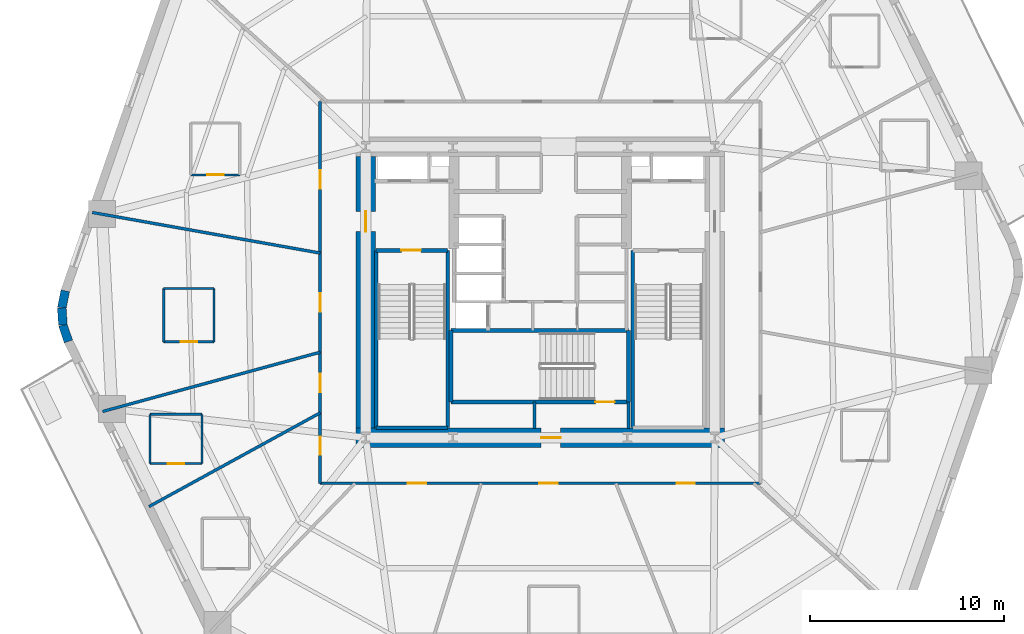
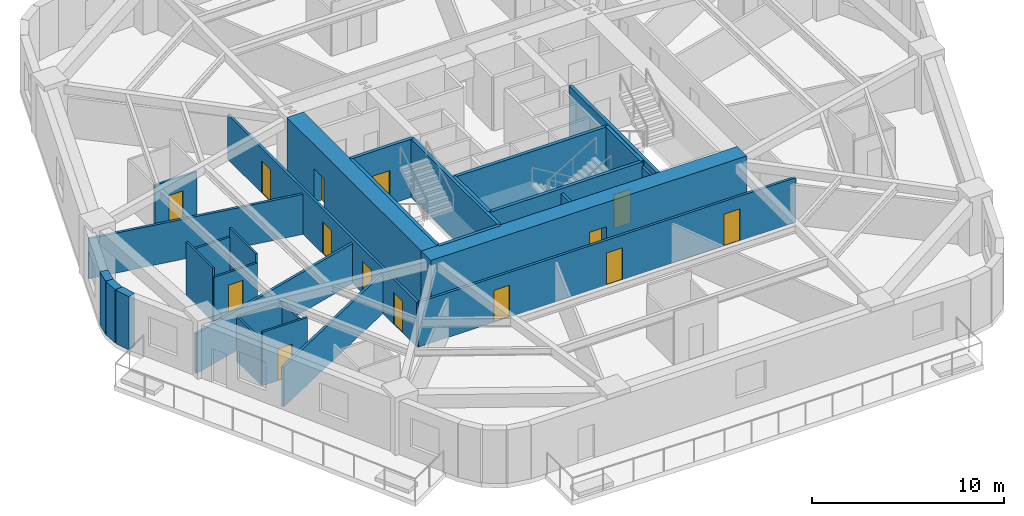
# One storey, part 3 of 9: 30 walls, 14 doors, 14 openings.
"""IFC4 building model written with IfcOpenShell, lengths in metres."""

from ifc_helpers import new_model, si_unit, direction, frame, frame_2d, origin, place, context, subcontext, project, spatial, rectangle, extrude, material, layer, layer_set, type_object, element, fill, save


model = new_model("IFC4")

# Units and contexts
model_context = context("Model", 3, precision=1e-05, world=origin(), true_north=direction((0.0, 1.0)))
body_context = subcontext(model_context, "Body", "Model", "MODEL_VIEW")
ifc_project = project(units=[si_unit("LENGTHUNIT", "METRE"), si_unit("AREAUNIT", "SQUARE_METRE"), si_unit("VOLUMEUNIT", "CUBIC_METRE"), si_unit("PLANEANGLEUNIT", "RADIAN"), si_unit("MASSUNIT", "GRAM", prefix="KILO")], contexts=[model_context])

# Site, building, storey
site_placement = place(None, origin())
site = spatial("IfcSite", under=ifc_project, at=site_placement, CompositionType="ELEMENT")
building_placement = place(site_placement, origin())
building = spatial("IfcBuilding", under=site, at=building_placement, Name="Kilnhurst Terrace Hotel", CompositionType="ELEMENT")
storey_placement = place(building_placement, frame((0.0, 0.0, 60.10009765625)))
storey = spatial("IfcBuildingStorey", under=building, at=storey_placement, Name="L13", CompositionType="ELEMENT", Elevation=60.10009765625)

# Walls
ifc_material_1 = material(Name="Precast concrete C40/50", Category="concrete")
ifc_layer_1 = layer(ifc_material_1, 0.449951171875, Name="Precast concrete C40/50")
ifc_layer_set_1 = layer_set([ifc_layer_1], Name="Precast concrete C40/50")
wall_type_1 = type_object("IfcWallType", Name="WL-BRK-450", PredefinedType="SOLIDWALL", material=ifc_layer_set_1)
wall_1_placement = place(storey_placement, frame((-24.49560546875, 0.07666015625, 0.0), z_axis=(0.0, 0.0, 1.0), x_axis=(-0.199570594521, -0.979883451132, 0.0)))
element("IfcWall", 1, at=wall_1_placement, inside=storey, type_object=wall_type_1, Name="L13 Rounded Corner Brick Wall C6.1", PredefinedType="SOLIDWALL", context=body_context, shape_type="SweptSolid", body=[
    extrude(rectangle(XDim=0.896728515625, YDim=0.449951171875, at=frame_2d((0.4482421875, 0.0))), origin(), (0.0, 0.0, 1.0), 3.39990234375),
])
wall_2_placement = place(storey_placement, frame((-24.674560546875, -0.802001953125, 0.0), z_axis=(0.0, 0.0, 1.0), x_axis=(0.061188874166, -0.998126205286, 0.0)))
element("IfcWall", 2, at=wall_2_placement, inside=storey, type_object=wall_type_1, Name="L13 Rounded Corner Brick Wall C6.2", PredefinedType="SOLIDWALL", context=body_context, shape_type="SweptSolid", body=[
    extrude(rectangle(XDim=0.8818359375, YDim=0.449951171875, at=frame_2d((0.44091796875, 0.0))), origin(), (0.0, 0.0, 1.0), 3.39990234375),
])
wall_3_placement = place(storey_placement, frame((-24.62060546875, -1.68212890625, 0.0), z_axis=(0.0, 0.0, 1.0), x_axis=(0.317697451681, -0.948192137278, 0.0)))
element("IfcWall", 3, at=wall_3_placement, inside=storey, type_object=wall_type_1, Name="L13 Rounded Corner Brick Wall C6.3", PredefinedType="SOLIDWALL", context=body_context, shape_type="SweptSolid", body=[
    extrude(rectangle(XDim=0.896728515625, YDim=0.449951171875, at=frame_2d((0.4482421875, 0.0))), origin(), (0.0, 0.0, 1.0), 3.39990234375),
])

# Wall, openings, doors
ifc_material_2 = material(Name="Acoustic Double-Gypsum Corridor Partition Assembly")
ifc_layer_2 = layer(ifc_material_2, 0.14990234375, Name="Acoustic Double-Gypsum Corridor Partition Assembly")
ifc_layer_set_2 = layer_set([ifc_layer_2], Name="Acoustic Double-Gypsum Corridor Partition Assembly")
wall_type_2 = type_object("IfcWallType", Name="WL-COR-150", PredefinedType="PARTITIONING", material=ifc_layer_set_2)
wall_4_placement = place(storey_placement, frame((-11.35009765625, -9.85009765625, 0.0), z_axis=(0.0, 0.0, 1.0), x_axis=(0.0, 1.0, 0.0)))
wall_4 = element("IfcWall", 4, at=wall_4_placement, inside=storey, type_object=wall_type_2, Name="L13 Interior Wall WL-L13-COR-01", PredefinedType="PARTITIONING", context=body_context, shape_type="SweptSolid", body=[
    extrude(rectangle(XDim=19.7001953125, YDim=0.14990234375, at=frame_2d((9.85009765625, 0.0))), origin(), (0.0, 0.0, 1.0), 2.83984375),
])
opening_1_placement = place(wall_4_placement, frame((15.19091796875, 0.0, 0.0)))
opening_1 = element("IfcOpeningElement", 5, at=opening_1_placement, cuts=wall_4, Name="Opening D-60B", PredefinedType="OPENING", context=body_context, shape_type="SweptSolid", body=[
    extrude(rectangle(XDim=0.949951171875, YDim=2.030029296875, at=frame_2d((0.47509765625, 1.01513671875))), frame((0.0, 0.0849609375, 0.0), z_axis=(0.0, -1.0, 0.0), x_axis=(1.0, 0.0, 0.0)), (0.0, 0.0, 1.0), 0.169921875),
])
opening_2_placement = place(wall_4_placement, frame((8.837890625, 0.0, 0.0)))
opening_2 = element("IfcOpeningElement", 6, at=opening_2_placement, cuts=wall_4, Name="Opening D-60B", PredefinedType="OPENING", context=body_context, shape_type="SweptSolid", body=[
    extrude(rectangle(XDim=0.949951171875, YDim=2.030029296875, at=frame_2d((0.47509765625, 1.01513671875))), frame((0.0, 0.0849609375, 0.0), z_axis=(0.0, -1.0, 0.0), x_axis=(1.0, 0.0, 0.0)), (0.0, 0.0, 1.0), 0.169921875),
])
opening_3_placement = place(wall_4_placement, frame((4.7041015625, 0.0, 0.0)))
opening_3 = element("IfcOpeningElement", 7, at=opening_3_placement, cuts=wall_4, Name="Opening D-60B", PredefinedType="OPENING", context=body_context, shape_type="SweptSolid", body=[
    extrude(rectangle(XDim=0.949951171875, YDim=2.030029296875, at=frame_2d((0.47509765625, 1.01513671875))), frame((0.0, 0.0849609375, 0.0), z_axis=(0.0, -1.0, 0.0), x_axis=(1.0, 0.0, 0.0)), (0.0, 0.0, 1.0), 0.169921875),
])
opening_4_placement = place(wall_4_placement, frame((1.4619140625, 0.0, 0.0)))
opening_4 = element("IfcOpeningElement", 8, at=opening_4_placement, cuts=wall_4, Name="Opening D-60B", PredefinedType="OPENING", context=body_context, shape_type="SweptSolid", body=[
    extrude(rectangle(XDim=0.949951171875, YDim=2.030029296875, at=frame_2d((0.47509765625, 1.01513671875))), frame((0.0, 0.0849609375, 0.0), z_axis=(0.0, -1.0, 0.0), x_axis=(1.0, 0.0, 0.0)), (0.0, 0.0, 1.0), 0.169921875),
])
ifc_material_3 = material(Name="Acoustic Walnut Veneer Solid-Core Fire Door")
door_type_1 = type_object("IfcDoorType", Name="DR-FD60-950", OperationType="NOTDEFINED", PredefinedType="DOOR", material=ifc_material_3)
door_1_placement = place(opening_1_placement, origin())
door_1 = element("IfcDoor", 9, at=door_1_placement, inside=storey, type_object=door_type_1, Name="L13 Executive Suite Entry Door 6", OperationType="SINGLE_SWING_RIGHT", OverallHeight=2.030029296875, OverallWidth=0.949951171875, PredefinedType="DOOR", context=body_context, shape_type="SweptSolid", body=[
    extrude(rectangle(XDim=0.949951171875, YDim=2.030029296875, at=frame_2d((0.47509765625, 1.01513671875))), frame((0.0, 0.02490234375, 0.0), z_axis=(0.0, -1.0, 0.0), x_axis=(1.0, 0.0, 0.0)), (0.0, 0.0, 1.0), 0.050048828125),
])
fill(opening_1, door_1)
door_2_placement = place(opening_2_placement, origin())
door_2 = element("IfcDoor", 10, at=door_2_placement, inside=storey, type_object=door_type_1, Name="L13 Executive Suite Entry Door 7", OperationType="SINGLE_SWING_LEFT", OverallHeight=2.030029296875, OverallWidth=0.949951171875, PredefinedType="DOOR", context=body_context, shape_type="SweptSolid", body=[
    extrude(rectangle(XDim=0.949951171875, YDim=2.030029296875, at=frame_2d((0.47509765625, 1.01513671875))), frame((0.0, 0.02490234375, 0.0), z_axis=(0.0, -1.0, 0.0), x_axis=(1.0, 0.0, 0.0)), (0.0, 0.0, 1.0), 0.050048828125),
])
fill(opening_2, door_2)
door_3_placement = place(opening_3_placement, origin())
door_3 = element("IfcDoor", 11, at=door_3_placement, inside=storey, type_object=door_type_1, Name="L13 Guest Room Entry Door 8", OperationType="SINGLE_SWING_RIGHT", OverallHeight=2.030029296875, OverallWidth=0.949951171875, PredefinedType="DOOR", context=body_context, shape_type="SweptSolid", body=[
    extrude(rectangle(XDim=0.949951171875, YDim=2.030029296875, at=frame_2d((0.47509765625, 1.01513671875))), frame((0.0, 0.02490234375, 0.0), z_axis=(0.0, -1.0, 0.0), x_axis=(1.0, 0.0, 0.0)), (0.0, 0.0, 1.0), 0.050048828125),
])
fill(opening_3, door_3)
door_4_placement = place(opening_4_placement, origin())
door_4 = element("IfcDoor", 12, at=door_4_placement, inside=storey, type_object=door_type_1, Name="L13 Guest Room Entry Door 9", OperationType="SINGLE_SWING_LEFT", OverallHeight=2.030029296875, OverallWidth=0.949951171875, PredefinedType="DOOR", context=body_context, shape_type="SweptSolid", body=[
    extrude(rectangle(XDim=0.949951171875, YDim=2.030029296875, at=frame_2d((0.47509765625, 1.01513671875))), frame((0.0, 0.02490234375, 0.0), z_axis=(0.0, -1.0, 0.0), x_axis=(1.0, 0.0, 0.0)), (0.0, 0.0, 1.0), 0.050048828125),
])
fill(opening_4, door_4)

wall_5_placement = place(storey_placement, frame((11.35009765625, -9.85009765625, 0.0), z_axis=(0.0, 0.0, 1.0), x_axis=(-1.0, 0.0, 0.0)))
wall_5 = element("IfcWall", 13, at=wall_5_placement, inside=storey, type_object=wall_type_2, Name="L13 Interior Wall WL-L13-COR-04", PredefinedType="PARTITIONING", context=body_context, shape_type="SweptSolid", body=[
    extrude(rectangle(XDim=22.7001953125, YDim=0.14990234375, at=frame_2d((11.35009765625, 0.0))), origin(), (0.0, 0.0, 1.0), 2.83984375),
])
opening_5_placement = place(wall_5_placement, frame((17.22509765625, 0.0, 0.0)))
opening_5 = element("IfcOpeningElement", 14, at=opening_5_placement, cuts=wall_5, Name="Opening D-60B", PredefinedType="OPENING", context=body_context, shape_type="SweptSolid", body=[
    extrude(rectangle(XDim=0.949951171875, YDim=2.030029296875, at=frame_2d((0.47509765625, 1.01513671875))), frame((0.0, 0.0849609375, 0.0), z_axis=(0.0, -1.0, 0.0), x_axis=(1.0, 0.0, 0.0)), (0.0, 0.0, 1.0), 0.169921875),
])
opening_6_placement = place(wall_5_placement, frame((10.444091796875, 0.0, 0.0)))
opening_6 = element("IfcOpeningElement", 15, at=opening_6_placement, cuts=wall_5, Name="Opening D-60B", PredefinedType="OPENING", context=body_context, shape_type="SweptSolid", body=[
    extrude(rectangle(XDim=0.949951171875, YDim=2.030029296875, at=frame_2d((0.47509765625, 1.01513671875))), frame((0.0, 0.0849609375, 0.0), z_axis=(0.0, -1.0, 0.0), x_axis=(1.0, 0.0, 0.0)), (0.0, 0.0, 1.0), 0.169921875),
])
opening_7_placement = place(wall_5_placement, frame((3.368896484375, 0.0, 0.0)))
opening_7 = element("IfcOpeningElement", 16, at=opening_7_placement, cuts=wall_5, Name="Opening D-60B", PredefinedType="OPENING", context=body_context, shape_type="SweptSolid", body=[
    extrude(rectangle(XDim=0.949951171875, YDim=2.030029296875, at=frame_2d((0.47509765625, 1.01513671875))), frame((0.0, 0.0849609375, 0.0), z_axis=(0.0, -1.0, 0.0), x_axis=(1.0, 0.0, 0.0)), (0.0, 0.0, 1.0), 0.169921875),
])
door_5_placement = place(opening_5_placement, origin())
door_5 = element("IfcDoor", 17, at=door_5_placement, inside=storey, type_object=door_type_1, Name="L13 Private Dining Salon Door", OperationType="SINGLE_SWING_RIGHT", OverallHeight=2.030029296875, OverallWidth=0.949951171875, PredefinedType="DOOR", context=body_context, shape_type="SweptSolid", body=[
    extrude(rectangle(XDim=0.949951171875, YDim=2.030029296875, at=frame_2d((0.47509765625, 1.01513671875))), frame((0.0, 0.02490234375, 0.0), z_axis=(0.0, -1.0, 0.0), x_axis=(1.0, 0.0, 0.0)), (0.0, 0.0, 1.0), 0.050048828125),
])
fill(opening_5, door_5)
door_6_placement = place(opening_6_placement, origin())
door_6 = element("IfcDoor", 18, at=door_6_placement, inside=storey, type_object=door_type_1, Name="L13 Executive Suite Entry Door 11", OperationType="SINGLE_SWING_LEFT", OverallHeight=2.030029296875, OverallWidth=0.949951171875, PredefinedType="DOOR", context=body_context, shape_type="SweptSolid", body=[
    extrude(rectangle(XDim=0.949951171875, YDim=2.030029296875, at=frame_2d((0.47509765625, 1.01513671875))), frame((0.0, 0.02490234375, 0.0), z_axis=(0.0, -1.0, 0.0), x_axis=(1.0, 0.0, 0.0)), (0.0, 0.0, 1.0), 0.050048828125),
])
fill(opening_6, door_6)
door_7_placement = place(opening_7_placement, origin())
door_7 = element("IfcDoor", 19, at=door_7_placement, inside=storey, type_object=door_type_1, Name="L13 Executive Boardroom Door", OperationType="SINGLE_SWING_RIGHT", OverallHeight=2.030029296875, OverallWidth=0.949951171875, PredefinedType="DOOR", context=body_context, shape_type="SweptSolid", body=[
    extrude(rectangle(XDim=0.949951171875, YDim=2.030029296875, at=frame_2d((0.47509765625, 1.01513671875))), frame((0.0, 0.02490234375, 0.0), z_axis=(0.0, -1.0, 0.0), x_axis=(1.0, 0.0, 0.0)), (0.0, 0.0, 1.0), 0.050048828125),
])
fill(opening_7, door_7)

# Wall, opening, door
ifc_material_4 = material(Name="Concrete C80/95", Category="concrete")
ifc_layer_3 = layer(ifc_material_4, 1.0, Name="Concrete C80/95")
ifc_layer_set_3 = layer_set([ifc_layer_3], Name="Concrete C80/95")
wall_type_3 = type_object("IfcWallType", Name="WL-CORE-1000", PredefinedType="SHEAR", material=ifc_layer_set_3)
wall_6_placement = place(storey_placement, frame((-9.5, -7.5, 0.0), z_axis=(0.0, 0.0, 1.0), x_axis=(1.0, 0.0, 0.0)))
wall_6 = element("IfcWall", 20, at=wall_6_placement, inside=storey, type_object=wall_type_3, Name="L13 Core South Shear Wall", PredefinedType="SHEAR", context=body_context, shape_type="SweptSolid", body=[
    extrude(rectangle(XDim=19.0, YDim=1.0, at=frame_2d((9.5, 0.0))), origin(), (0.0, 0.0, 1.0), 3.699951171875),
])
opening_8_placement = place(wall_6_placement, frame((9.550048828125, 0.0, 0.0)))
opening_8 = element("IfcOpeningElement", 21, at=opening_8_placement, cuts=wall_6, Name="Opening D-90B", PredefinedType="OPENING", context=body_context, shape_type="SweptSolid", body=[
    extrude(rectangle(XDim=1.0, YDim=2.14990234375, at=frame_2d((0.5, 1.074951171875))), frame((0.0, 0.510009765625, 0.0), z_axis=(0.0, -1.0, 0.0), x_axis=(1.0, 0.0, 0.0)), (0.0, 0.0, 1.0), 1.02001953125),
])
ifc_material_5 = material(Name="Painted Hollow Metal Steel ASTM A36 Fire Door", Category="steel")
door_type_2 = type_object("IfcDoorType", Name="DR-FD90-1000", OperationType="NOTDEFINED", PredefinedType="DOOR", material=ifc_material_5)
door_8_placement = place(opening_8_placement, origin())
door_8 = element("IfcDoor", 22, at=door_8_placement, inside=storey, type_object=door_type_2, Name="L13 Stair ST-3 Corridor Door", OperationType="SINGLE_SWING_RIGHT", OverallHeight=2.14990234375, OverallWidth=1.0, PredefinedType="DOOR", context=body_context, shape_type="SweptSolid", body=[
    extrude(rectangle(XDim=1.0, YDim=2.14990234375, at=frame_2d((0.5, 1.074951171875))), frame((0.0, 0.02490234375, 0.0), z_axis=(0.0, -1.0, 0.0), x_axis=(1.0, 0.0, 0.0)), (0.0, 0.0, 1.0), 0.050048828125),
])
fill(opening_8, door_8)

wall_7_placement = place(storey_placement, frame((-9.0, -7.0, 0.0), z_axis=(0.0, 0.0, 1.0), x_axis=(0.0, 1.0, 0.0)))
wall_7 = element("IfcWall", 23, at=wall_7_placement, inside=storey, type_object=wall_type_3, Name="L13 Core West Shear Wall", PredefinedType="SHEAR", context=body_context, shape_type="SweptSolid", body=[
    extrude(rectangle(XDim=14.0, YDim=1.0, at=frame_2d((7.0, 0.0))), origin(), (0.0, 0.0, 1.0), 3.699951171875),
])
opening_9_placement = place(wall_7_placement, frame((10.125, 0.0, 0.0)))
opening_9 = element("IfcOpeningElement", 24, at=opening_9_placement, cuts=wall_7, Name="Opening D-90A", PredefinedType="OPENING", context=body_context, shape_type="SweptSolid", body=[
    extrude(rectangle(XDim=1.050048828125, YDim=2.14990234375, at=frame_2d((0.52490234375, 1.074951171875))), frame((0.0, 0.510009765625, 0.0), z_axis=(0.0, -1.0, 0.0), x_axis=(1.0, 0.0, 0.0)), (0.0, 0.0, 1.0), 1.02001953125),
])
door_type_3 = type_object("IfcDoorType", Name="DR-FD90-1050", OperationType="NOTDEFINED", PredefinedType="DOOR", material=ifc_material_5)
door_9_placement = place(opening_9_placement, origin())
door_9 = element("IfcDoor", 25, at=door_9_placement, inside=storey, type_object=door_type_3, Name="L13 West Firefighting Lobby Door", OperationType="SINGLE_SWING_RIGHT", OverallHeight=2.14990234375, OverallWidth=1.050048828125, PredefinedType="DOOR", context=body_context, shape_type="SweptSolid", body=[
    extrude(rectangle(XDim=1.050048828125, YDim=2.14990234375, at=frame_2d((0.52490234375, 1.074951171875))), frame((0.0, 0.02490234375, 0.0), z_axis=(0.0, -1.0, 0.0), x_axis=(1.0, 0.0, 0.0)), (0.0, 0.0, 1.0), 0.050048828125),
])
fill(opening_9, door_9)

# Walls
ifc_material_6 = material(Name="STC-58 Acoustic Twin-Frame Guestroom Demising Partition")
ifc_layer_4 = layer(ifc_material_6, 0.14990234375, Name="STC-58 Acoustic Twin-Frame Guestroom Demising Partition")
ifc_layer_set_4 = layer_set([ifc_layer_4], Name="STC-58 Acoustic Twin-Frame Guestroom Demising Partition")
wall_type_4 = type_object("IfcWallType", Name="WL-DEM-150", PredefinedType="PARTITIONING", material=ifc_layer_set_4)
wall_8_placement = place(storey_placement, frame((-11.35009765625, 2.022705078125, 0.0), z_axis=(0.0, 0.0, 1.0), x_axis=(-0.984493741877, 0.17541970301, 0.0)))
element("IfcWall", 26, at=wall_8_placement, inside=storey, type_object=wall_type_4, Name="L13 Interior Wall WL-L13-DEM-COL06-07-1", PredefinedType="PARTITIONING", context=body_context, shape_type="SweptSolid", body=[
    extrude(rectangle(XDim=11.93701171875, YDim=0.14990234375, at=frame_2d((5.968505859375, 0.0))), origin(), (0.0, 0.0, 1.0), 2.539794921875),
])
wall_9_placement = place(storey_placement, frame((-11.35009765625, -3.0908203125, 0.0), z_axis=(0.0, 0.0, 1.0), x_axis=(-0.964859685283, -0.262765651704, 0.0)))
element("IfcWall", 27, at=wall_9_placement, inside=storey, type_object=wall_type_4, Name="L13 Interior Wall WL-L13-DEM-COL07-08-1", PredefinedType="PARTITIONING", context=body_context, shape_type="SweptSolid", body=[
    extrude(rectangle(XDim=11.62890625, YDim=0.14990234375, at=frame_2d((5.814453125, 0.0))), origin(), (0.0, 0.0, 1.0), 2.539794921875),
])
wall_10_placement = place(storey_placement, frame((-11.35009765625, -6.216552734375, 0.0), z_axis=(0.0, 0.0, 1.0), x_axis=(-0.877047587135, -0.480403507378, 0.0)))
element("IfcWall", 28, at=wall_10_placement, inside=storey, type_object=wall_type_4, Name="L13 Interior Wall WL-L13-DEM-MID07-09-1", PredefinedType="PARTITIONING", context=body_context, shape_type="SweptSolid", body=[
    extrude(rectangle(XDim=10.061767578125, YDim=0.14990234375, at=frame_2d((5.03076171875, 0.0))), origin(), (0.0, 0.0, 1.0), 2.539794921875),
])

# Wall, opening, door
ifc_material_7 = material(Name="120 mm Moisture-Resistant Tile-Backed Bathroom Partition")
ifc_layer_5 = layer(ifc_material_7, 0.1201171875, Name="120 mm Moisture-Resistant Tile-Backed Bathroom Partition")
ifc_layer_set_5 = layer_set([ifc_layer_5], Name="120 mm Moisture-Resistant Tile-Backed Bathroom Partition")
wall_type_5 = type_object("IfcWallType", Name="WL-PART-120", PredefinedType="PARTITIONING", material=ifc_layer_set_5)
wall_11_placement = place(storey_placement, frame((-18.01611328125, 6.052978515625, 0.0), z_axis=(0.0, 0.0, 1.0), x_axis=(1.0, 0.0, 0.0)))
wall_11 = element("IfcWall", 29, at=wall_11_placement, inside=storey, type_object=wall_type_5, Name="L13 Interior Wall WL-L13-BTH-06-1", PredefinedType="PARTITIONING", context=body_context, shape_type="SweptSolid", body=[
    extrude(rectangle(XDim=2.52001953125, YDim=0.1201171875, at=frame_2d((1.260009765625, 0.0))), origin(), (0.0, 0.0, 1.0), 2.972412109375),
])
opening_10_placement = place(wall_11_placement, frame((0.8349609375, 0.0, 0.0)))
opening_10 = element("IfcOpeningElement", 30, at=opening_10_placement, cuts=wall_11, Name="Opening D-08A", PredefinedType="OPENING", context=body_context, shape_type="SweptSolid", body=[
    extrude(rectangle(XDim=0.85009765625, YDim=2.030029296875, at=frame_2d((0.425048828125, 1.01513671875))), frame((0.0, 0.070068359375, 0.0), z_axis=(0.0, -1.0, 0.0), x_axis=(1.0, 0.0, 0.0)), (0.0, 0.0, 1.0), 0.14013671875),
])
ifc_material_8 = material(Name="Moisture-Resistant Lacquered En-suite Bathroom Door")
door_type_4 = type_object("IfcDoorType", Name="DR-INT-850", OperationType="NOTDEFINED", PredefinedType="DOOR", material=ifc_material_8)
door_10_placement = place(opening_10_placement, origin())
door_10 = element("IfcDoor", 31, at=door_10_placement, inside=storey, type_object=door_type_4, Name="L13 En-suite Bathroom Door 6", OperationType="SINGLE_SWING_LEFT", OverallHeight=2.030029296875, OverallWidth=0.85009765625, PredefinedType="DOOR", context=body_context, shape_type="SweptSolid", body=[
    extrude(rectangle(XDim=0.85009765625, YDim=2.030029296875, at=frame_2d((0.425048828125, 1.01513671875))), frame((0.0, 0.02490234375, 0.0), z_axis=(0.0, -1.0, 0.0), x_axis=(1.0, 0.0, 0.0)), (0.0, 0.0, 1.0), 0.050048828125),
])
fill(opening_10, door_10)

wall_12_placement = place(storey_placement, frame((-19.425048828125, -2.552978515625, 0.0), z_axis=(0.0, 0.0, 1.0), x_axis=(1.0, 0.0, 0.0)))
wall_12 = element("IfcWall", 32, at=wall_12_placement, inside=storey, type_object=wall_type_5, Name="L13 Interior Wall WL-L13-BTH-07-1", PredefinedType="PARTITIONING", context=body_context, shape_type="SweptSolid", body=[
    extrude(rectangle(XDim=2.60009765625, YDim=0.1201171875, at=frame_2d((1.300048828125, 0.0))), origin(), (0.0, 0.0, 1.0), 2.84033203125),
])
opening_11_placement = place(wall_12_placement, frame((0.875, 0.0, 0.0)))
opening_11 = element("IfcOpeningElement", 33, at=opening_11_placement, cuts=wall_12, Name="Opening D-08A", PredefinedType="OPENING", context=body_context, shape_type="SweptSolid", body=[
    extrude(rectangle(XDim=0.85009765625, YDim=2.030029296875, at=frame_2d((0.425048828125, 1.01513671875))), frame((0.0, 0.070068359375, 0.0), z_axis=(0.0, -1.0, 0.0), x_axis=(1.0, 0.0, 0.0)), (0.0, 0.0, 1.0), 0.14013671875),
])
door_11_placement = place(opening_11_placement, origin())
door_11 = element("IfcDoor", 34, at=door_11_placement, inside=storey, type_object=door_type_4, Name="L13 En-suite Bathroom Door 7", OperationType="SINGLE_SWING_RIGHT", OverallHeight=2.030029296875, OverallWidth=0.85009765625, PredefinedType="DOOR", context=body_context, shape_type="SweptSolid", body=[
    extrude(rectangle(XDim=0.85009765625, YDim=2.030029296875, at=frame_2d((0.425048828125, 1.01513671875))), frame((0.0, 0.02490234375, 0.0), z_axis=(0.0, -1.0, 0.0), x_axis=(1.0, 0.0, 0.0)), (0.0, 0.0, 1.0), 0.050048828125),
])
fill(opening_11, door_11)

# Walls
wall_13_placement = place(storey_placement, frame((-16.824951171875, -2.552978515625, 0.0), z_axis=(0.0, 0.0, 1.0), x_axis=(0.0, 1.0, 0.0)))
element("IfcWall", 35, at=wall_13_placement, inside=storey, type_object=wall_type_5, Name="L13 Interior Wall WL-L13-BTH-07-2", PredefinedType="PARTITIONING", context=body_context, shape_type="SweptSolid", body=[
    extrude(rectangle(XDim=2.75, YDim=0.1201171875, at=frame_2d((1.375, 0.0))), origin(), (0.0, 0.0, 1.0), 3.39990234375),
])
wall_14_placement = place(storey_placement, frame((-16.824951171875, 0.197021484375, 0.0), z_axis=(0.0, 0.0, 1.0), x_axis=(-1.0, 0.0, 0.0)))
element("IfcWall", 36, at=wall_14_placement, inside=storey, type_object=wall_type_5, Name="L13 Interior Wall WL-L13-BTH-07-3", PredefinedType="PARTITIONING", context=body_context, shape_type="SweptSolid", body=[
    extrude(rectangle(XDim=2.60009765625, YDim=0.1201171875, at=frame_2d((1.300048828125, 0.0))), origin(), (0.0, 0.0, 1.0), 2.84033203125),
])
wall_15_placement = place(storey_placement, frame((-19.425048828125, 0.197021484375, 0.0), z_axis=(0.0, 0.0, 1.0), x_axis=(0.0, -1.0, 0.0)))
element("IfcWall", 37, at=wall_15_placement, inside=storey, type_object=wall_type_5, Name="L13 Interior Wall WL-L13-BTH-07-4", PredefinedType="PARTITIONING", context=body_context, shape_type="SweptSolid", body=[
    extrude(rectangle(XDim=2.75, YDim=0.1201171875, at=frame_2d((1.375, 0.0))), origin(), (0.0, 0.0, 1.0), 3.39990234375),
])

# Wall, opening, door
wall_16_placement = place(storey_placement, frame((-20.126953125, -8.8330078125, 0.0), z_axis=(0.0, 0.0, 1.0), x_axis=(1.0, 0.0, 0.0)))
wall_16 = element("IfcWall", 38, at=wall_16_placement, inside=storey, type_object=wall_type_5, Name="L13 Interior Wall WL-L13-BTH-08-1", PredefinedType="PARTITIONING", context=body_context, shape_type="SweptSolid", body=[
    extrude(rectangle(XDim=2.679931640625, YDim=0.1201171875, at=frame_2d((1.33984375, 0.0))), origin(), (0.0, 0.0, 1.0), 3.39990234375),
])
opening_12_placement = place(wall_16_placement, frame((0.9150390625, 0.0, 0.0)))
opening_12 = element("IfcOpeningElement", 39, at=opening_12_placement, cuts=wall_16, Name="Opening D-08A", PredefinedType="OPENING", context=body_context, shape_type="SweptSolid", body=[
    extrude(rectangle(XDim=0.85009765625, YDim=2.030029296875, at=frame_2d((0.425048828125, 1.01513671875))), frame((0.0, 0.070068359375, 0.0), z_axis=(0.0, -1.0, 0.0), x_axis=(1.0, 0.0, 0.0)), (0.0, 0.0, 1.0), 0.14013671875),
])
door_12_placement = place(opening_12_placement, origin())
door_12 = element("IfcDoor", 40, at=door_12_placement, inside=storey, type_object=door_type_4, Name="L13 En-suite Bathroom Door 8", OperationType="SINGLE_SWING_LEFT", OverallHeight=2.030029296875, OverallWidth=0.85009765625, PredefinedType="DOOR", context=body_context, shape_type="SweptSolid", body=[
    extrude(rectangle(XDim=0.85009765625, YDim=2.030029296875, at=frame_2d((0.425048828125, 1.01513671875))), frame((0.0, 0.02490234375, 0.0), z_axis=(0.0, -1.0, 0.0), x_axis=(1.0, 0.0, 0.0)), (0.0, 0.0, 1.0), 0.050048828125),
])
fill(opening_12, door_12)

# Walls
wall_17_placement = place(storey_placement, frame((-17.447021484375, -8.8330078125, 0.0), z_axis=(0.0, 0.0, 1.0), x_axis=(0.0, 1.0, 0.0)))
element("IfcWall", 41, at=wall_17_placement, inside=storey, type_object=wall_type_5, Name="L13 Interior Wall WL-L13-BTH-08-2", PredefinedType="PARTITIONING", context=body_context, shape_type="SweptSolid", body=[
    extrude(rectangle(XDim=2.5400390625, YDim=0.1201171875, at=frame_2d((1.27001953125, 0.0))), origin(), (0.0, 0.0, 1.0), 2.83984375),
])
wall_18_placement = place(storey_placement, frame((-17.447021484375, -6.29296875, 0.0), z_axis=(0.0, 0.0, 1.0), x_axis=(-1.0, 0.0, 0.0)))
element("IfcWall", 42, at=wall_18_placement, inside=storey, type_object=wall_type_5, Name="L13 Interior Wall WL-L13-BTH-08-3", PredefinedType="PARTITIONING", context=body_context, shape_type="SweptSolid", body=[
    extrude(rectangle(XDim=2.679931640625, YDim=0.1201171875, at=frame_2d((1.33984375, 0.0))), origin(), (0.0, 0.0, 1.0), 2.83984375),
])
wall_19_placement = place(storey_placement, frame((-20.126953125, -6.29296875, 0.0), z_axis=(0.0, 0.0, 1.0), x_axis=(0.0, -1.0, 0.0)))
element("IfcWall", 43, at=wall_19_placement, inside=storey, type_object=wall_type_5, Name="L13 Interior Wall WL-L13-BTH-08-4", PredefinedType="PARTITIONING", context=body_context, shape_type="SweptSolid", body=[
    extrude(rectangle(XDim=2.5400390625, YDim=0.1201171875, at=frame_2d((1.27001953125, 0.0))), origin(), (0.0, 0.0, 1.0), 2.83984375),
])
ifc_material_9 = material(Name="Fire-Rated Gypsum Shaftliner Assembly")
ifc_layer_6 = layer(ifc_material_9, 0.14990234375, Name="Fire-Rated Gypsum Shaftliner Assembly")
ifc_layer_set_6 = layer_set([ifc_layer_6], Name="Fire-Rated Gypsum Shaftliner Assembly")
wall_type_6 = type_object("IfcWallType", Name="WL-SHAFT-150", PredefinedType="PARTITIONING", material=ifc_layer_set_6)
for number, where, z_axis, x_axis, name in (
    (44, (-0.300048828125, -7.02001953125, 0.0), (0.0, 0.0, 1.0), (0.0, 1.0, 0.0), "L13 Interior Wall WL-L13-ST3-PSGW"),
    (45, (4.55810546875, -7.02001953125, 0.0), (0.0, 0.0, 1.0), (0.0, 1.0, 0.0), "L13 Interior Wall WL-L13-ST3-PSGE"),
):
    element("IfcWall", number, at=place(storey_placement, frame(where, z_axis=z_axis, x_axis=x_axis)), inside=storey, type_object=wall_type_6, Name=name, PredefinedType="PARTITIONING", context=body_context, shape_type="SweptSolid", body=[
        extrude(rectangle(XDim=1.362060546875, YDim=0.14990234375, at=frame_2d((0.68115234375, 0.0))), origin(), (0.0, 0.0, 1.0), 3.39990234375),
    ])
ifc_material_10 = material(Name="Concrete C50/60", Category="concrete")
ifc_layer_7 = layer(ifc_material_10, 0.199951171875, Name="Concrete C50/60")
ifc_layer_set_7 = layer_set([ifc_layer_7], Name="Concrete C50/60")
wall_type_7 = type_object("IfcWallType", Name="WL-STAIR-RC-200", PredefinedType="SHEAR", material=ifc_layer_set_7)
for number, where, z_axis, x_axis, name in (
    (46, (-8.4580078125, -6.985107421875, 0.0), (0.0, 0.0, 1.0), (0.0, 1.0, 0.0), "L13 Structural Stair Shaft Wall WL-L13-ST1-W"),
    (47, (-4.77197265625, -6.985107421875, 0.0), (0.0, 0.0, 1.0), (0.0, 1.0, 0.0), "L13 Structural Stair Shaft Wall WL-L13-ST1-E"),
):
    element("IfcWall", number, at=place(storey_placement, frame(where, z_axis=z_axis, x_axis=x_axis)), inside=storey, type_object=wall_type_7, Name=name, PredefinedType="SHEAR", context=body_context, shape_type="SweptSolid", body=[
        extrude(rectangle(XDim=9.14306640625, YDim=0.199951171875, at=frame_2d((4.571533203125, 0.0))), origin(), (0.0, 0.0, 1.0), 3.699951171875),
    ])
wall_20_placement = place(storey_placement, frame((-8.4580078125, -6.985107421875, 0.0), z_axis=(0.0, 0.0, 1.0), x_axis=(1.0, 0.0, 0.0)))
element("IfcWall", 48, at=wall_20_placement, inside=storey, type_object=wall_type_7, Name="L13 Structural Stair Shaft Wall WL-L13-ST1-S", PredefinedType="SHEAR", context=body_context, shape_type="SweptSolid", body=[
    extrude(rectangle(XDim=3.68603515625, YDim=0.199951171875, at=frame_2d((1.843017578125, 0.0))), origin(), (0.0, 0.0, 1.0), 3.699951171875),
])

# Wall, opening, door
wall_21_placement = place(storey_placement, frame((-8.4580078125, 2.157958984375, 0.0), z_axis=(0.0, 0.0, 1.0), x_axis=(1.0, 0.0, 0.0)))
wall_21 = element("IfcWall", 49, at=wall_21_placement, inside=storey, type_object=wall_type_7, Name="L13 Structural Stair Shaft Wall WL-L13-ST1-N", PredefinedType="SHEAR", context=body_context, shape_type="SweptSolid", body=[
    extrude(rectangle(XDim=3.68603515625, YDim=0.199951171875, at=frame_2d((1.843017578125, 0.0))), origin(), (0.0, 0.0, 1.0), 3.699951171875),
])
opening_13_placement = place(wall_21_placement, frame((1.300048828125, 0.0, 0.0)))
opening_13 = element("IfcOpeningElement", 50, at=opening_13_placement, cuts=wall_21, Name="Opening D-90B", PredefinedType="OPENING", context=body_context, shape_type="SweptSolid", body=[
    extrude(rectangle(XDim=1.0, YDim=2.14990234375, at=frame_2d((0.5, 1.074951171875))), frame((0.0, 0.10986328125, 0.0), z_axis=(0.0, -1.0, 0.0), x_axis=(1.0, 0.0, 0.0)), (0.0, 0.0, 1.0), 0.219970703125),
])
door_13_placement = place(opening_13_placement, origin())
door_13 = element("IfcDoor", 51, at=door_13_placement, inside=storey, type_object=door_type_2, Name="L13 Stair ST-1 Door", OperationType="SINGLE_SWING_LEFT", OverallHeight=2.14990234375, OverallWidth=1.0, PredefinedType="DOOR", context=body_context, shape_type="SweptSolid", body=[
    extrude(rectangle(XDim=1.0, YDim=2.14990234375, at=frame_2d((0.5, 1.074951171875))), frame((0.0, 0.02490234375, 0.0), z_axis=(0.0, -1.0, 0.0), x_axis=(1.0, 0.0, 0.0)), (0.0, 0.0, 1.0), 0.050048828125),
])
fill(opening_13, door_13)

# Walls
wall_22_placement = place(storey_placement, frame((4.77197265625, -6.985107421875, 0.0), z_axis=(0.0, 0.0, 1.0), x_axis=(0.0, 1.0, 0.0)))
element("IfcWall", 52, at=wall_22_placement, inside=storey, type_object=wall_type_7, Name="L13 Structural Stair Shaft Wall WL-L13-ST2-W", PredefinedType="SHEAR", context=body_context, shape_type="SweptSolid", body=[
    extrude(rectangle(XDim=9.14306640625, YDim=0.199951171875, at=frame_2d((4.571533203125, 0.0))), origin(), (0.0, 0.0, 1.0), 3.699951171875),
])
wall_23_placement = place(storey_placement, frame((-4.60791015625, -5.657958984375, 0.0), z_axis=(0.0, 0.0, 1.0), x_axis=(0.0, 1.0, 0.0)))
element("IfcWall", 53, at=wall_23_placement, inside=storey, type_object=wall_type_7, Name="L13 Structural Stair Shaft Wall WL-L13-ST3-W", PredefinedType="SHEAR", context=body_context, shape_type="SweptSolid", body=[
    extrude(rectangle(XDim=3.68603515625, YDim=0.199951171875, at=frame_2d((1.843017578125, 0.0))), origin(), (0.0, 0.0, 1.0), 3.699951171875),
])

# Wall, opening, door
wall_24_placement = place(storey_placement, frame((-4.60791015625, -5.657958984375, 0.0), z_axis=(0.0, 0.0, 1.0), x_axis=(1.0, 0.0, 0.0)))
wall_24 = element("IfcWall", 54, at=wall_24_placement, inside=storey, type_object=wall_type_7, Name="L13 Structural Stair Shaft Wall WL-L13-ST3-S", PredefinedType="SHEAR", context=body_context, shape_type="SweptSolid", body=[
    extrude(rectangle(XDim=9.166015625, YDim=0.199951171875, at=frame_2d((4.5830078125, 0.0))), origin(), (0.0, 0.0, 1.0), 3.699951171875),
])
opening_14_placement = place(wall_24_placement, frame((7.449951171875, 0.0, 0.0)))
opening_14 = element("IfcOpeningElement", 55, at=opening_14_placement, cuts=wall_24, Name="Opening D-90B", PredefinedType="OPENING", context=body_context, shape_type="SweptSolid", body=[
    extrude(rectangle(XDim=1.0, YDim=2.14990234375, at=frame_2d((0.5, 1.074951171875))), frame((0.0, 0.10986328125, 0.0), z_axis=(0.0, -1.0, 0.0), x_axis=(1.0, 0.0, 0.0)), (0.0, 0.0, 1.0), 0.219970703125),
])
door_14_placement = place(opening_14_placement, origin())
door_14 = element("IfcDoor", 56, at=door_14_placement, inside=storey, type_object=door_type_2, Name="L13 Stair ST-3 Shaft Door", OperationType="SINGLE_SWING_LEFT", OverallHeight=2.14990234375, OverallWidth=1.0, PredefinedType="DOOR", context=body_context, shape_type="SweptSolid", body=[
    extrude(rectangle(XDim=1.0, YDim=2.14990234375, at=frame_2d((0.5, 1.074951171875))), frame((0.0, 0.02490234375, 0.0), z_axis=(0.0, -1.0, 0.0), x_axis=(1.0, 0.0, 0.0)), (0.0, 0.0, 1.0), 0.050048828125),
])
fill(opening_14, door_14)

# Walls
wall_25_placement = place(storey_placement, frame((-4.60791015625, -1.971923828125, 0.0), z_axis=(0.0, 0.0, 1.0), x_axis=(1.0, 0.0, 0.0)))
element("IfcWall", 57, at=wall_25_placement, inside=storey, type_object=wall_type_7, Name="L13 Structural Stair Shaft Wall WL-L13-ST3-N", PredefinedType="SHEAR", context=body_context, shape_type="SweptSolid", body=[
    extrude(rectangle(XDim=9.166015625, YDim=0.199951171875, at=frame_2d((4.5830078125, 0.0))), origin(), (0.0, 0.0, 1.0), 3.699951171875),
])
wall_26_placement = place(storey_placement, frame((4.55810546875, -5.657958984375, 0.0), z_axis=(0.0, 0.0, 1.0), x_axis=(0.0, 1.0, 0.0)))
element("IfcWall", 58, at=wall_26_placement, inside=storey, type_object=wall_type_7, Name="L13 Structural Stair Shaft Wall WL-L13-ST3-E", PredefinedType="SHEAR", context=body_context, shape_type="SweptSolid", body=[
    extrude(rectangle(XDim=3.68603515625, YDim=0.199951171875, at=frame_2d((1.843017578125, 0.0))), origin(), (0.0, 0.0, 1.0), 3.699951171875),
])

save(model, "model.ifc")
